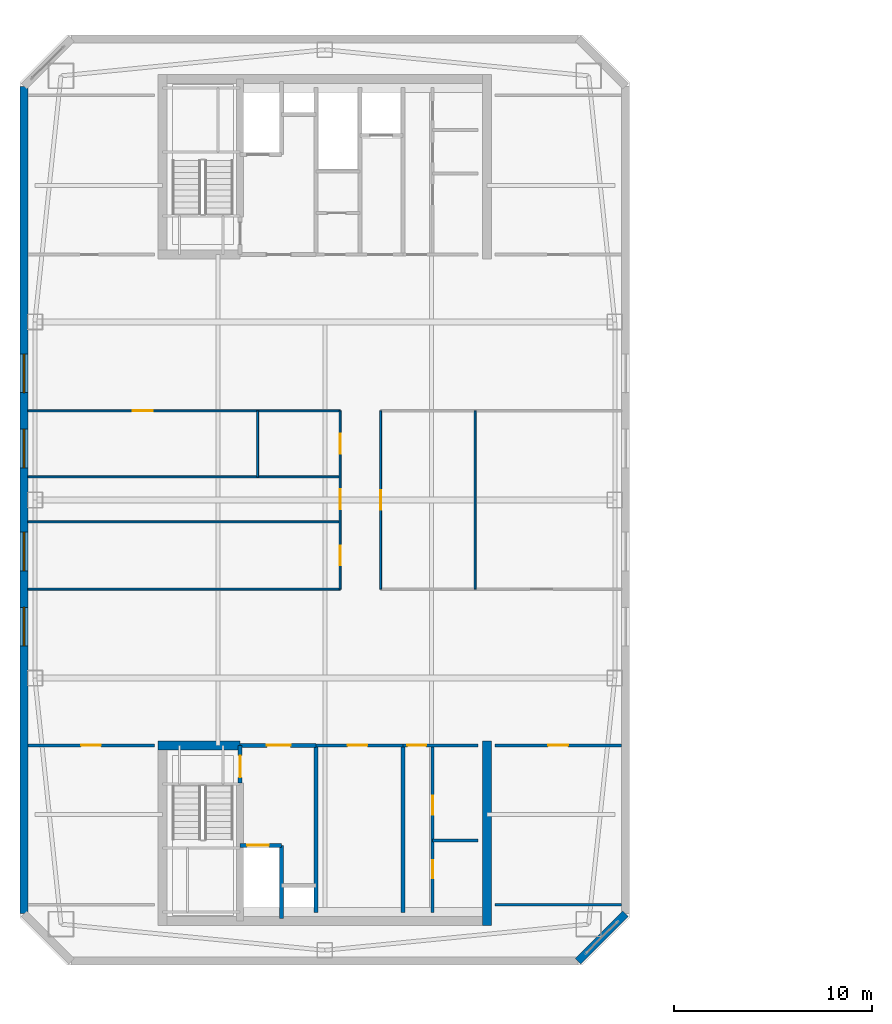
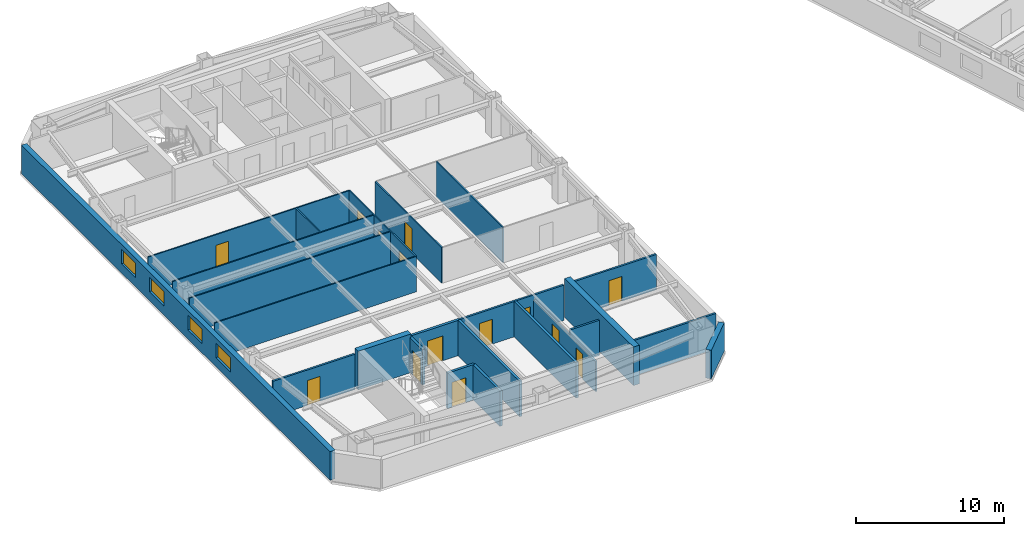
# One storey, part 12 of 20: 25 walls, 14 doors, 4 windows, 18 openings.
"""IFC4 building model written with IfcOpenShell, lengths in metres."""

from ifc_helpers import new_model, si_unit, direction, frame, frame_2d, origin, place, context, subcontext, project, spatial, rectangle, extrude, material, layer, layer_set, type_object, element, fill, save


model = new_model("IFC4")

# Units and contexts
model_context = context("Model", 3, precision=1e-05, world=origin(), true_north=direction((0.0, 1.0)))
body_context = subcontext(model_context, "Body", "Model", "MODEL_VIEW")
ifc_project = project(units=[si_unit("LENGTHUNIT", "METRE"), si_unit("AREAUNIT", "SQUARE_METRE"), si_unit("VOLUMEUNIT", "CUBIC_METRE"), si_unit("PLANEANGLEUNIT", "RADIAN"), si_unit("MASSUNIT", "GRAM", prefix="KILO")], contexts=[model_context])

# Site, building, storey
site_placement = place(None, origin())
site = spatial("IfcSite", under=ifc_project, at=site_placement, CompositionType="ELEMENT")
building_placement = place(site_placement, origin())
building = spatial("IfcBuilding", under=site, at=building_placement, Name="Qiaolan Cultural Towers", CompositionType="ELEMENT")
storey_placement = place(building_placement, frame((0.0, 0.0, 244.0)))
storey = spatial("IfcBuildingStorey", under=building, at=storey_placement, Name="L66", CompositionType="ELEMENT", Elevation=244.0)

# Walls
ifc_material_1 = material(Name="Concrete C50", Category="concrete")
ifc_layer_1 = layer(ifc_material_1, 0.449951171875)
ifc_layer_set_1 = layer_set([ifc_layer_1], Name="Concrete C50")
wall_type_1 = type_object("IfcWallType", Name="WL-CORE-450", PredefinedType="SHEAR", material=ifc_layer_set_1)
wall_1_placement = place(storey_placement, frame((38.199951171875, 21.824951171875, 0.0), z_axis=(0.0, 0.0, 1.0), x_axis=(0.0, -1.0, 0.0)))
element("IfcWall", 1, at=wall_1_placement, inside=storey, type_object=wall_type_1, Name="L66 T1-CS East Core Shear Wall", PredefinedType="SHEAR", context=body_context, shape_type="SweptSolid", body=[
    extrude(rectangle(XDim=9.329833984375, YDim=0.449951171875, at=frame_2d((4.6650390625, 0.0))), origin(), (0.0, 0.0, 1.0), 3.199951171875),
])
wall_2_placement = place(storey_placement, frame((21.574951171875, 21.60009765625, 0.0), z_axis=(0.0, 0.0, 1.0), x_axis=(1.0, 0.0, 0.0)))
element("IfcWall", 2, at=wall_2_placement, inside=storey, type_object=wall_type_1, Name="L66 T1-CS Stair Front Shear Wall", PredefinedType="SHEAR", context=body_context, shape_type="SweptSolid", body=[
    extrude(rectangle(XDim=4.14501953125, YDim=0.449951171875, at=frame_2d((2.072509765625, 0.0))), origin(), (0.0, 0.0, 1.0), 3.199951171875),
])

# Wall, openings, windows
ifc_material_2 = material(Name="Precast Concrete C50 Honed Stone Pier", Category="masonry")
ifc_layer_2 = layer(ifc_material_2, 0.39990234375)
ifc_layer_set_2 = layer_set([ifc_layer_2], Name="Precast Concrete C50 Honed Stone Pier")
wall_type_2 = type_object("IfcWallType", Name="WL-EXT-PIER-400", PredefinedType="SOLIDWALL", material=ifc_layer_set_2)
wall_3_placement = place(storey_placement, frame((14.800048828125, 13.10009765625, 0.0), z_axis=(0.0, 0.0, 1.0), x_axis=(0.0, 1.0, 0.0)))
wall_3 = element("IfcWall", 3, at=wall_3_placement, inside=storey, type_object=wall_type_2, Name="L66 West Tower Precast Pier Facade Wall F1", PredefinedType="SOLIDWALL", context=body_context, shape_type="SweptSolid", body=[
    extrude(rectangle(XDim=41.7998046875, YDim=0.39990234375, at=frame_2d((20.89990234375, 0.0))), origin(), (0.0, 0.0, 1.0), 2.360107421875),
])
opening_1_placement = place(wall_3_placement, frame((13.52490234375, 0.0, 0.75)))
opening_1 = element("IfcOpeningElement", 4, at=opening_1_placement, cuts=wall_3, Name="Opening W-06", PredefinedType="OPENING", context=body_context, shape_type="SweptSolid", body=[
    extrude(rectangle(XDim=1.949951171875, YDim=1.2099609375, at=frame_2d((0.97509765625, 0.60498046875))), frame((0.0, 0.2099609375, 0.0), z_axis=(0.0, -1.0, 0.0), x_axis=(1.0, 0.0, 0.0)), (0.0, 0.0, 1.0), 0.419921875),
])
opening_2_placement = place(wall_3_placement, frame((17.324951171875, 0.0, 0.75)))
opening_2 = element("IfcOpeningElement", 5, at=opening_2_placement, cuts=wall_3, Name="Opening W-06", PredefinedType="OPENING", context=body_context, shape_type="SweptSolid", body=[
    extrude(rectangle(XDim=1.949951171875, YDim=1.2099609375, at=frame_2d((0.97509765625, 0.60498046875))), frame((0.0, 0.2099609375, 0.0), z_axis=(0.0, -1.0, 0.0), x_axis=(1.0, 0.0, 0.0)), (0.0, 0.0, 1.0), 0.419921875),
])
opening_3_placement = place(wall_3_placement, frame((22.52490234375, 0.0, 0.75)))
opening_3 = element("IfcOpeningElement", 6, at=opening_3_placement, cuts=wall_3, Name="Opening W-06", PredefinedType="OPENING", context=body_context, shape_type="SweptSolid", body=[
    extrude(rectangle(XDim=1.949951171875, YDim=1.2099609375, at=frame_2d((0.97509765625, 0.60498046875))), frame((0.0, 0.2099609375, 0.0), z_axis=(0.0, -1.0, 0.0), x_axis=(1.0, 0.0, 0.0)), (0.0, 0.0, 1.0), 0.419921875),
])
opening_4_placement = place(wall_3_placement, frame((26.324951171875, 0.0, 0.75)))
opening_4 = element("IfcOpeningElement", 7, at=opening_4_placement, cuts=wall_3, Name="Opening W-06", PredefinedType="OPENING", context=body_context, shape_type="SweptSolid", body=[
    extrude(rectangle(XDim=1.949951171875, YDim=1.2099609375, at=frame_2d((0.97509765625, 0.60498046875))), frame((0.0, 0.2099609375, 0.0), z_axis=(0.0, -1.0, 0.0), x_axis=(1.0, 0.0, 0.0)), (0.0, 0.0, 1.0), 0.419921875),
])
ifc_material_3 = material(Name="Thermally Broken Aluminium Triple Low-E Glazing", Category="aluminium")
window_type = type_object("IfcWindowType", Name="WN-CHIC-1950", PartitioningType="SINGLE_PANEL", PredefinedType="WINDOW", material=ifc_material_3)
window_1_placement = place(opening_1_placement, origin())
window_1 = element("IfcWindow", 8, at=window_1_placement, inside=storey, type_object=window_type, Name="L66 T1 W Chicago Bay Window 1", OverallHeight=1.2099609375, OverallWidth=1.949951171875, PartitioningType="TRIPLE_PANEL_VERTICAL", PredefinedType="WINDOW", context=body_context, shape_type="SweptSolid", body=[
    extrude(rectangle(XDim=1.949951171875, YDim=1.2099609375, at=frame_2d((0.97509765625, 0.60498046875))), frame((0.0, 0.030029296875, 0.0), z_axis=(0.0, -1.0, 0.0), x_axis=(1.0, 0.0, 0.0)), (0.0, 0.0, 1.0), 0.06005859375),
])
fill(opening_1, window_1)
window_2_placement = place(opening_2_placement, origin())
window_2 = element("IfcWindow", 9, at=window_2_placement, inside=storey, type_object=window_type, Name="L66 T1 W Chicago Bay Window 2", OverallHeight=1.2099609375, OverallWidth=1.949951171875, PartitioningType="TRIPLE_PANEL_VERTICAL", PredefinedType="WINDOW", context=body_context, shape_type="SweptSolid", body=[
    extrude(rectangle(XDim=1.949951171875, YDim=1.2099609375, at=frame_2d((0.97509765625, 0.60498046875))), frame((0.0, 0.030029296875, 0.0), z_axis=(0.0, -1.0, 0.0), x_axis=(1.0, 0.0, 0.0)), (0.0, 0.0, 1.0), 0.06005859375),
])
fill(opening_2, window_2)
window_3_placement = place(opening_3_placement, origin())
window_3 = element("IfcWindow", 10, at=window_3_placement, inside=storey, type_object=window_type, Name="L66 T1 W Chicago Bay Window 3", OverallHeight=1.2099609375, OverallWidth=1.949951171875, PartitioningType="TRIPLE_PANEL_VERTICAL", PredefinedType="WINDOW", context=body_context, shape_type="SweptSolid", body=[
    extrude(rectangle(XDim=1.949951171875, YDim=1.2099609375, at=frame_2d((0.97509765625, 0.60498046875))), frame((0.0, 0.030029296875, 0.0), z_axis=(0.0, -1.0, 0.0), x_axis=(1.0, 0.0, 0.0)), (0.0, 0.0, 1.0), 0.06005859375),
])
fill(opening_3, window_3)
window_4_placement = place(opening_4_placement, origin())
window_4 = element("IfcWindow", 11, at=window_4_placement, inside=storey, type_object=window_type, Name="L66 T1 W Chicago Bay Window 4", OverallHeight=1.2099609375, OverallWidth=1.949951171875, PartitioningType="TRIPLE_PANEL_VERTICAL", PredefinedType="WINDOW", context=body_context, shape_type="SweptSolid", body=[
    extrude(rectangle(XDim=1.949951171875, YDim=1.2099609375, at=frame_2d((0.97509765625, 0.60498046875))), frame((0.0, 0.030029296875, 0.0), z_axis=(0.0, -1.0, 0.0), x_axis=(1.0, 0.0, 0.0)), (0.0, 0.0, 1.0), 0.06005859375),
])
fill(opening_4, window_4)

# Wall
wall_4_placement = place(storey_placement, frame((45.199951171875, 13.10009765625, 0.0), z_axis=(0.0, 0.0, 1.0), x_axis=(-0.707070815327, -0.707142745217, 0.0)))
element("IfcWall", 12, at=wall_4_placement, inside=storey, type_object=wall_type_2, Name="L66 West Tower Precast Pier Facade Wall F6", PredefinedType="SOLIDWALL", context=body_context, shape_type="SweptSolid", body=[
    extrude(rectangle(XDim=3.39404296875, YDim=0.39990234375, at=frame_2d((1.697021484375, 0.0))), origin(), (0.0, 0.0, 1.0), 2.360107421875),
])

# Wall, opening, door
ifc_material_4 = material(Name="Concrete C35 Fire Wall", Category="concrete")
ifc_layer_3 = layer(ifc_material_4, 0.199951171875)
ifc_layer_set_3 = layer_set([ifc_layer_3], Name="Concrete C35 Fire Wall")
wall_type_3 = type_object("IfcWallType", Name="WL-FIRE-200", PredefinedType="PARTITIONING", material=ifc_layer_set_3)
wall_5_placement = place(storey_placement, frame((25.719970703125, 21.60009765625, 0.0), z_axis=(0.0, 0.0, 1.0), x_axis=(0.0, -1.0, 0.0)))
wall_5 = element("IfcWall", 13, at=wall_5_placement, inside=storey, type_object=wall_type_3, Name="L66 T1-CS Smokeproof Stair Entry Wall", PredefinedType="PARTITIONING", context=body_context, shape_type="SweptSolid", body=[
    extrude(rectangle(XDim=1.900146484375, YDim=0.199951171875, at=frame_2d((0.9501953125, 0.0))), origin(), (0.0, 0.0, 1.0), 2.925048828125),
])
opening_5_placement = place(wall_5_placement, frame((0.52001953125, 0.0, 0.0)))
opening_5 = element("IfcOpeningElement", 14, at=opening_5_placement, cuts=wall_5, Name="Opening FD-04", PredefinedType="OPENING", context=body_context, shape_type="SweptSolid", body=[
    extrude(rectangle(XDim=1.10009765625, YDim=2.050048828125, at=frame_2d((0.550048828125, 1.02490234375))), frame((0.0, 0.10986328125, 0.0), z_axis=(0.0, -1.0, 0.0), x_axis=(1.0, 0.0, 0.0)), (0.0, 0.0, 1.0), 0.219970703125),
])
ifc_material_5 = material(Name="Galvanized Steel Command Fire Door", Category="steel")
door_type_1 = type_object("IfcDoorType", Name="DR-FD90-1100", OperationType="NOTDEFINED", PredefinedType="DOOR", material=ifc_material_5)
door_1_placement = place(opening_5_placement, origin())
door_1 = element("IfcDoor", 15, at=door_1_placement, inside=storey, type_object=door_type_1, Name="L66 ST-W1 Smokeproof Stair Fire Door", OperationType="SINGLE_SWING_LEFT", OverallHeight=2.050048828125, OverallWidth=1.10009765625, PredefinedType="DOOR", context=body_context, shape_type="SweptSolid", body=[
    extrude(rectangle(XDim=1.10009765625, YDim=2.050048828125, at=frame_2d((0.550048828125, 1.02490234375))), frame((0.0, 0.02490234375, 0.0), z_axis=(0.0, -1.0, 0.0), x_axis=(1.0, 0.0, 0.0)), (0.0, 0.0, 1.0), 0.050048828125),
])
fill(opening_5, door_1)

# Wall
wall_6_placement = place(storey_placement, frame((29.550048828125, 21.60009765625, 0.0), z_axis=(0.0, 0.0, 1.0), x_axis=(0.0, -1.0, 0.0)))
element("IfcWall", 16, at=wall_6_placement, inside=storey, type_object=wall_type_3, Name="L66 T1-CS Firefighting Zone Wall", PredefinedType="PARTITIONING", context=body_context, shape_type="SweptSolid", body=[
    extrude(rectangle(XDim=8.43017578125, YDim=0.199951171875, at=frame_2d((4.215087890625, 0.0))), origin(), (0.0, 0.0, 1.0), 2.925048828125),
])

# Wall, opening, door
wall_7_placement = place(storey_placement, frame((25.719970703125, 21.60009765625, 0.0), z_axis=(0.0, 0.0, 1.0), x_axis=(1.0, 0.0, 0.0)))
wall_7 = element("IfcWall", 17, at=wall_7_placement, inside=storey, type_object=wall_type_3, Name="L66 T1-CS Firefighting Lobby Front Wall", PredefinedType="PARTITIONING", context=body_context, shape_type="SweptSolid", body=[
    extrude(rectangle(XDim=3.830078125, YDim=0.199951171875, at=frame_2d((1.9150390625, 0.0))), origin(), (0.0, 0.0, 1.0), 2.925048828125),
])
opening_6_placement = place(wall_7_placement, frame((1.35009765625, 0.0, 0.0)))
opening_6 = element("IfcOpeningElement", 18, at=opening_6_placement, cuts=wall_7, Name="Opening FD-03", PredefinedType="OPENING", context=body_context, shape_type="SweptSolid", body=[
    extrude(rectangle(XDim=1.199951171875, YDim=2.050048828125, at=frame_2d((0.60009765625, 1.02490234375))), frame((0.0, 0.10986328125, 0.0), z_axis=(0.0, -1.0, 0.0), x_axis=(1.0, 0.0, 0.0)), (0.0, 0.0, 1.0), 0.219970703125),
])
ifc_material_6 = material(Name="Galvanized Steel Smokeproof Lobby Fire Door", Category="steel")
door_type_2 = type_object("IfcDoorType", Name="DR-FD90-1200", OperationType="NOTDEFINED", PredefinedType="DOOR", material=ifc_material_6)
door_2_placement = place(opening_6_placement, origin())
door_2 = element("IfcDoor", 19, at=door_2_placement, inside=storey, type_object=door_type_2, Name="L66 FFL-W1 Firefighting Lobby Fire Door", OperationType="SINGLE_SWING_LEFT", OverallHeight=2.050048828125, OverallWidth=1.199951171875, PredefinedType="DOOR", context=body_context, shape_type="SweptSolid", body=[
    extrude(rectangle(XDim=1.199951171875, YDim=2.050048828125, at=frame_2d((0.60009765625, 1.02490234375))), frame((0.0, 0.02490234375, 0.0), z_axis=(0.0, -1.0, 0.0), x_axis=(1.0, 0.0, 0.0)), (0.0, 0.0, 1.0), 0.050048828125),
])
fill(opening_6, door_2)

wall_8_placement = place(storey_placement, frame((25.719970703125, 16.550048828125, 0.0), z_axis=(0.0, 0.0, 1.0), x_axis=(1.0, 0.0, 0.0)))
wall_8 = element("IfcWall", 20, at=wall_8_placement, inside=storey, type_object=wall_type_3, Name="L66 T1-CS Firefighting Shaft Front Wall", PredefinedType="PARTITIONING", context=body_context, shape_type="SweptSolid", body=[
    extrude(rectangle(XDim=2.10009765625, YDim=0.199951171875, at=frame_2d((1.050048828125, 0.0))), origin(), (0.0, 0.0, 1.0), 2.925048828125),
])
opening_7_placement = place(wall_8_placement, frame((0.35009765625, 0.0, 0.0)))
opening_7 = element("IfcOpeningElement", 21, at=opening_7_placement, cuts=wall_8, Name="Opening LD-01", PredefinedType="OPENING", context=body_context, shape_type="SweptSolid", body=[
    extrude(rectangle(XDim=1.10009765625, YDim=2.050048828125, at=frame_2d((0.550048828125, 1.02490234375))), frame((0.0, 0.10986328125, 0.0), z_axis=(0.0, -1.0, 0.0), x_axis=(1.0, 0.0, 0.0)), (0.0, 0.0, 1.0), 0.219970703125),
])
ifc_material_7 = material(Name="Brushed Stainless Steel S30408 Centre-Parting Lift Landing Door", Category="steel")
door_type_3 = type_object("IfcDoorType", Name="DR-LIFT-1100", OperationType="NOTDEFINED", PredefinedType="DOOR", material=ifc_material_7)
door_3_placement = place(opening_7_placement, origin())
door_3 = element("IfcDoor", 22, at=door_3_placement, inside=storey, type_object=door_type_3, Name="L66 FFL-W1 Firefighting Lift Landing Door", OperationType="DOUBLE_DOOR_SLIDING", OverallHeight=2.050048828125, OverallWidth=1.10009765625, PredefinedType="DOOR", context=body_context, shape_type="SweptSolid", body=[
    extrude(rectangle(XDim=1.10009765625, YDim=2.050048828125, at=frame_2d((0.550048828125, 1.02490234375))), frame((0.0, 0.02490234375, 0.0), z_axis=(0.0, -1.0, 0.0), x_axis=(1.0, 0.0, 0.0)), (0.0, 0.0, 1.0), 0.050048828125),
])
fill(opening_7, door_3)

# Walls
wall_9_placement = place(storey_placement, frame((27.820068359375, 16.550048828125, 0.0), z_axis=(0.0, 0.0, 1.0), x_axis=(0.0, -1.0, 0.0)))
element("IfcWall", 23, at=wall_9_placement, inside=storey, type_object=wall_type_3, Name="L66 T1-CS Firefighting Hoistway East Wall", PredefinedType="PARTITIONING", context=body_context, shape_type="SweptSolid", body=[
    extrude(rectangle(XDim=3.699951171875, YDim=0.199951171875, at=frame_2d((1.85009765625, 0.0))), origin(), (0.0, 0.0, 1.0), 2.925048828125),
])
wall_10_placement = place(storey_placement, frame((33.949951171875, 21.60009765625, 0.0), z_axis=(0.0, 0.0, 1.0), x_axis=(0.0, -1.0, 0.0)))
element("IfcWall", 24, at=wall_10_placement, inside=storey, type_object=wall_type_3, Name="L66 T1-CS Lift Core East Wall", PredefinedType="PARTITIONING", context=body_context, shape_type="SweptSolid", body=[
    extrude(rectangle(XDim=8.43017578125, YDim=0.199951171875, at=frame_2d((4.215087890625, 0.0))), origin(), (0.0, 0.0, 1.0), 2.925048828125),
])
ifc_material_8 = material(Name="Acoustic Double-Glazed Partition Frame", Category="glass")
ifc_layer_4 = layer(ifc_material_8, 0.10009765625)
ifc_layer_set_4 = layer_set([ifc_layer_4], Name="Acoustic Double-Glazed Partition Frame")
wall_type_4 = type_object("IfcWallType", Name="WL-GLAZED-100", PredefinedType="MOVABLE", material=ifc_layer_set_4)
wall_11_placement = place(storey_placement, frame((15.0, 29.5, 0.0), z_axis=(0.0, 0.0, 1.0), x_axis=(1.0, 0.0, 0.0)))
element("IfcWall", 25, at=wall_11_placement, inside=storey, type_object=wall_type_4, Name="L66 T1 South Foyer West Wall", PredefinedType="MOVABLE", context=body_context, shape_type="SweptSolid", body=[
    extrude(rectangle(XDim=15.77490234375, YDim=0.10009765625, at=frame_2d((7.887451171875, 0.0))), origin(), (0.0, 0.0, 1.0), 2.925048828125),
])

# Wall, opening, door
wall_12_placement = place(storey_placement, frame((15.0, 38.5, 0.0), z_axis=(0.0, 0.0, 1.0), x_axis=(1.0, 0.0, 0.0)))
wall_12 = element("IfcWall", 26, at=wall_12_placement, inside=storey, type_object=wall_type_4, Name="L66 T1 North Foyer West Wall", PredefinedType="MOVABLE", context=body_context, shape_type="SweptSolid", body=[
    extrude(rectangle(XDim=15.77490234375, YDim=0.10009765625, at=frame_2d((7.887451171875, 0.0))), origin(), (0.0, 0.0, 1.0), 2.925048828125),
])
opening_8_placement = place(wall_12_placement, frame((5.300048828125, 0.0, 0.0)))
opening_8 = element("IfcOpeningElement", 27, at=opening_8_placement, cuts=wall_12, Name="Opening ID-04", PredefinedType="OPENING", context=body_context, shape_type="SweptSolid", body=[
    extrude(rectangle(XDim=1.0, YDim=2.050048828125, at=frame_2d((0.5, 1.02490234375))), frame((0.0, 0.06005859375, 0.0), z_axis=(0.0, -1.0, 0.0), x_axis=(1.0, 0.0, 0.0)), (0.0, 0.0, 1.0), 0.1201171875),
])
ifc_material_9 = material(Name="Oak Veneer Acoustic Office Door", Category="timber")
door_type_4 = type_object("IfcDoorType", Name="DR-INT-1000", OperationType="NOTDEFINED", PredefinedType="DOOR", material=ifc_material_9)
door_4_placement = place(opening_8_placement, origin())
door_4 = element("IfcDoor", 28, at=door_4_placement, inside=storey, type_object=door_type_4, Name="L66 T1 Edition Bookshop Door", OperationType="SINGLE_SWING_LEFT", OverallHeight=2.050048828125, OverallWidth=1.0, PredefinedType="DOOR", context=body_context, shape_type="SweptSolid", body=[
    extrude(rectangle(XDim=1.0, YDim=2.050048828125, at=frame_2d((0.5, 1.02490234375))), frame((0.0, 0.02490234375, 0.0), z_axis=(0.0, -1.0, 0.0), x_axis=(1.0, 0.0, 0.0)), (0.0, 0.0, 1.0), 0.050048828125),
])
fill(opening_8, door_4)

# Wall, openings, doors
wall_13_placement = place(storey_placement, frame((30.77490234375, 29.5, 0.0), z_axis=(0.0, 0.0, 1.0), x_axis=(0.0, 1.0, 0.0)))
wall_13 = element("IfcWall", 29, at=wall_13_placement, inside=storey, type_object=wall_type_4, Name="L66 T1 Central Spine West Wall", PredefinedType="MOVABLE", context=body_context, shape_type="SweptSolid", body=[
    extrude(rectangle(XDim=9.0, YDim=0.10009765625, at=frame_2d((4.5, 0.0))), origin(), (0.0, 0.0, 1.0), 2.925048828125),
])
opening_9_placement = place(wall_13_placement, frame((1.199951171875, 0.0, 0.0)))
opening_9 = element("IfcOpeningElement", 30, at=opening_9_placement, cuts=wall_13, Name="Opening ID-04", PredefinedType="OPENING", context=body_context, shape_type="SweptSolid", body=[
    extrude(rectangle(XDim=1.0, YDim=2.050048828125, at=frame_2d((0.5, 1.02490234375))), frame((0.0, 0.06005859375, 0.0), z_axis=(0.0, -1.0, 0.0), x_axis=(1.0, 0.0, 0.0)), (0.0, 0.0, 1.0), 0.1201171875),
])
opening_10_placement = place(wall_13_placement, frame((4.034912109375, 0.0, 0.0)))
opening_10 = element("IfcOpeningElement", 31, at=opening_10_placement, cuts=wall_13, Name="Opening ID-04", PredefinedType="OPENING", context=body_context, shape_type="SweptSolid", body=[
    extrude(rectangle(XDim=1.0, YDim=2.050048828125, at=frame_2d((0.5, 1.02490234375))), frame((0.0, 0.06005859375, 0.0), z_axis=(0.0, -1.0, 0.0), x_axis=(1.0, 0.0, 0.0)), (0.0, 0.0, 1.0), 0.1201171875),
])
opening_11_placement = place(wall_13_placement, frame((6.8349609375, 0.0, 0.0)))
opening_11 = element("IfcOpeningElement", 32, at=opening_11_placement, cuts=wall_13, Name="Opening ID-04", PredefinedType="OPENING", context=body_context, shape_type="SweptSolid", body=[
    extrude(rectangle(XDim=1.0, YDim=2.050048828125, at=frame_2d((0.5, 1.02490234375))), frame((0.0, 0.06005859375, 0.0), z_axis=(0.0, -1.0, 0.0), x_axis=(1.0, 0.0, 0.0)), (0.0, 0.0, 1.0), 0.1201171875),
])
door_5_placement = place(opening_9_placement, origin())
door_5 = element("IfcDoor", 33, at=door_5_placement, inside=storey, type_object=door_type_4, Name="L66 T1 Collectors Art Gallery Door", OperationType="SINGLE_SWING_LEFT", OverallHeight=2.050048828125, OverallWidth=1.0, PredefinedType="DOOR", context=body_context, shape_type="SweptSolid", body=[
    extrude(rectangle(XDim=1.0, YDim=2.050048828125, at=frame_2d((0.5, 1.02490234375))), frame((0.0, 0.02490234375, 0.0), z_axis=(0.0, -1.0, 0.0), x_axis=(1.0, 0.0, 0.0)), (0.0, 0.0, 1.0), 0.050048828125),
])
fill(opening_9, door_5)
door_6_placement = place(opening_10_placement, origin())
door_6 = element("IfcDoor", 34, at=door_6_placement, inside=storey, type_object=door_type_4, Name="L66 T1 Collectors Art Gallery Door", OperationType="SINGLE_SWING_RIGHT", OverallHeight=2.050048828125, OverallWidth=1.0, PredefinedType="DOOR", context=body_context, shape_type="SweptSolid", body=[
    extrude(rectangle(XDim=1.0, YDim=2.050048828125, at=frame_2d((0.5, 1.02490234375))), frame((0.0, 0.02490234375, 0.0), z_axis=(0.0, -1.0, 0.0), x_axis=(1.0, 0.0, 0.0)), (0.0, 0.0, 1.0), 0.050048828125),
])
fill(opening_10, door_6)
door_7_placement = place(opening_11_placement, origin())
door_7 = element("IfcDoor", 35, at=door_7_placement, inside=storey, type_object=door_type_4, Name="L66 T1 Curatorial Room Door", OperationType="SINGLE_SWING_RIGHT", OverallHeight=2.050048828125, OverallWidth=1.0, PredefinedType="DOOR", context=body_context, shape_type="SweptSolid", body=[
    extrude(rectangle(XDim=1.0, YDim=2.050048828125, at=frame_2d((0.5, 1.02490234375))), frame((0.0, 0.02490234375, 0.0), z_axis=(0.0, -1.0, 0.0), x_axis=(1.0, 0.0, 0.0)), (0.0, 0.0, 1.0), 0.050048828125),
])
fill(opening_11, door_7)

# Wall, opening, door
wall_14_placement = place(storey_placement, frame((32.824951171875, 29.5, 0.0), z_axis=(0.0, 0.0, 1.0), x_axis=(0.0, 1.0, 0.0)))
wall_14 = element("IfcWall", 36, at=wall_14_placement, inside=storey, type_object=wall_type_4, Name="L66 T1 Central Spine East Wall", PredefinedType="MOVABLE", context=body_context, shape_type="SweptSolid", body=[
    extrude(rectangle(XDim=9.0, YDim=0.10009765625, at=frame_2d((4.5, 0.0))), origin(), (0.0, 0.0, 1.0), 2.925048828125),
])
opening_12_placement = place(wall_14_placement, frame((4.0, 0.0, 0.0)))
opening_12 = element("IfcOpeningElement", 37, at=opening_12_placement, cuts=wall_14, Name="Opening ID-04", PredefinedType="OPENING", context=body_context, shape_type="SweptSolid", body=[
    extrude(rectangle(XDim=1.0, YDim=2.050048828125, at=frame_2d((0.5, 1.02490234375))), frame((0.0, 0.06005859375, 0.0), z_axis=(0.0, -1.0, 0.0), x_axis=(1.0, 0.0, 0.0)), (0.0, 0.0, 1.0), 0.1201171875),
])
door_8_placement = place(opening_12_placement, origin())
door_8 = element("IfcDoor", 38, at=door_8_placement, inside=storey, type_object=door_type_4, Name="L66 T1 Sky Dining Kitchen Door", OperationType="SINGLE_SWING_LEFT", OverallHeight=2.050048828125, OverallWidth=1.0, PredefinedType="DOOR", context=body_context, shape_type="SweptSolid", body=[
    extrude(rectangle(XDim=1.0, YDim=2.050048828125, at=frame_2d((0.5, 1.02490234375))), frame((0.0, 0.02490234375, 0.0), z_axis=(0.0, -1.0, 0.0), x_axis=(1.0, 0.0, 0.0)), (0.0, 0.0, 1.0), 0.050048828125),
])
fill(opening_12, door_8)

# Walls
for number, where, z_axis, x_axis, name in (
    (39, (15.0, 32.89990234375, 0.0), (0.0, 0.0, 1.0), (1.0, 0.0, 0.0), "L66 T1 Interior Wall"),
    (40, (15.0, 35.169921875, 0.0), (0.0, 0.0, 1.0), (1.0, 0.0, 0.0), "L66 T1 Interior Wall"),
):
    element("IfcWall", number, at=place(storey_placement, frame(where, z_axis=z_axis, x_axis=x_axis)), inside=storey, type_object=wall_type_4, Name=name, PredefinedType="MOVABLE", context=body_context, shape_type="SweptSolid", body=[
        extrude(rectangle(XDim=15.77490234375, YDim=0.10009765625, at=frame_2d((7.887451171875, 0.0))), origin(), (0.0, 0.0, 1.0), 2.925048828125),
    ])
wall_15_placement = place(storey_placement, frame((26.60009765625, 35.169921875, 0.0), z_axis=(0.0, 0.0, 1.0), x_axis=(0.0, 1.0, 0.0)))
element("IfcWall", 41, at=wall_15_placement, inside=storey, type_object=wall_type_4, Name="L66 T1 Interior Wall", PredefinedType="MOVABLE", context=body_context, shape_type="SweptSolid", body=[
    extrude(rectangle(XDim=3.330078125, YDim=0.10009765625, at=frame_2d((1.6650390625, 0.0))), origin(), (0.0, 0.0, 1.0), 2.925048828125),
])
wall_16_placement = place(storey_placement, frame((37.60009765625, 29.5, 0.0), z_axis=(0.0, 0.0, 1.0), x_axis=(0.0, 1.0, 0.0)))
element("IfcWall", 42, at=wall_16_placement, inside=storey, type_object=wall_type_4, Name="L66 T1 Interior Wall", PredefinedType="MOVABLE", context=body_context, shape_type="SweptSolid", body=[
    extrude(rectangle(XDim=9.0, YDim=0.10009765625, at=frame_2d((4.5, 0.0))), origin(), (0.0, 0.0, 1.0), 2.925048828125),
])

# Wall, opening, door
ifc_material_10 = material(Name="Autoclaved Aerated Concrete Block B06", Category="concrete")
ifc_layer_5 = layer(ifc_material_10, 0.14990234375)
ifc_layer_set_5 = layer_set([ifc_layer_5], Name="Autoclaved Aerated Concrete Block B06")
wall_type_5 = type_object("IfcWallType", Name="WL-PART-150", PredefinedType="PARTITIONING", material=ifc_layer_set_5)
wall_17_placement = place(storey_placement, frame((29.550048828125, 21.60009765625, 0.0), z_axis=(0.0, 0.0, 1.0), x_axis=(1.0, 0.0, 0.0)))
wall_17 = element("IfcWall", 43, at=wall_17_placement, inside=storey, type_object=wall_type_5, Name="L66 T1-CS Reclaimed Core Room Front Wall", PredefinedType="PARTITIONING", context=body_context, shape_type="SweptSolid", body=[
    extrude(rectangle(XDim=4.39990234375, YDim=0.14990234375, at=frame_2d((2.199951171875, 0.0))), origin(), (0.0, 0.0, 1.0), 2.925048828125),
])
opening_13_placement = place(wall_17_placement, frame((1.60009765625, 0.0, 0.0)))
opening_13 = element("IfcOpeningElement", 44, at=opening_13_placement, cuts=wall_17, Name="Opening ID-04", PredefinedType="OPENING", context=body_context, shape_type="SweptSolid", body=[
    extrude(rectangle(XDim=1.0, YDim=2.050048828125, at=frame_2d((0.5, 1.02490234375))), frame((0.0, 0.0849609375, 0.0), z_axis=(0.0, -1.0, 0.0), x_axis=(1.0, 0.0, 0.0)), (0.0, 0.0, 1.0), 0.169921875),
])
door_9_placement = place(opening_13_placement, origin())
door_9 = element("IfcDoor", 45, at=door_9_placement, inside=storey, type_object=door_type_4, Name="L66 Reclaimed Archive Room Door", OperationType="SINGLE_SWING_LEFT", OverallHeight=2.050048828125, OverallWidth=1.0, PredefinedType="DOOR", context=body_context, shape_type="SweptSolid", body=[
    extrude(rectangle(XDim=1.0, YDim=2.050048828125, at=frame_2d((0.5, 1.02490234375))), frame((0.0, 0.02490234375, 0.0), z_axis=(0.0, -1.0, 0.0), x_axis=(1.0, 0.0, 0.0)), (0.0, 0.0, 1.0), 0.050048828125),
])
fill(opening_13, door_9)

wall_18_placement = place(storey_placement, frame((33.949951171875, 21.60009765625, 0.0), z_axis=(0.0, 0.0, 1.0), x_axis=(1.0, 0.0, 0.0)))
wall_18 = element("IfcWall", 46, at=wall_18_placement, inside=storey, type_object=wall_type_5, Name="L66 T1-CS Sanitary Core Front Wall", PredefinedType="PARTITIONING", context=body_context, shape_type="SweptSolid", body=[
    extrude(rectangle(XDim=3.800048828125, YDim=0.14990234375, at=frame_2d((1.89990234375, 0.0))), origin(), (0.0, 0.0, 1.0), 2.925048828125),
])
opening_14_placement = place(wall_18_placement, frame((0.219970703125, 0.0, 0.0)))
opening_14 = element("IfcOpeningElement", 47, at=opening_14_placement, cuts=wall_18, Name="Opening ID-05", PredefinedType="OPENING", context=body_context, shape_type="SweptSolid", body=[
    extrude(rectangle(XDim=0.949951171875, YDim=2.050048828125, at=frame_2d((0.47509765625, 1.02490234375))), frame((0.0, 0.0849609375, 0.0), z_axis=(0.0, -1.0, 0.0), x_axis=(1.0, 0.0, 0.0)), (0.0, 0.0, 1.0), 0.169921875),
])
ifc_material_11 = material(Name="Fire-Rated Laminate Accessible Core Door", Category="timber")
door_type_5 = type_object("IfcDoorType", Name="DR-INT-950", OperationType="NOTDEFINED", PredefinedType="DOOR", material=ifc_material_11)
door_10_placement = place(opening_14_placement, origin())
door_10 = element("IfcDoor", 48, at=door_10_placement, inside=storey, type_object=door_type_5, Name="L66 Sanitary Lobby Door", OperationType="SINGLE_SWING_LEFT", OverallHeight=2.050048828125, OverallWidth=0.949951171875, PredefinedType="DOOR", context=body_context, shape_type="SweptSolid", body=[
    extrude(rectangle(XDim=0.949951171875, YDim=2.050048828125, at=frame_2d((0.47509765625, 1.02490234375))), frame((0.0, 0.02490234375, 0.0), z_axis=(0.0, -1.0, 0.0), x_axis=(1.0, 0.0, 0.0)), (0.0, 0.0, 1.0), 0.050048828125),
])
fill(opening_14, door_10)

# Wall, openings, doors
wall_19_placement = place(storey_placement, frame((35.449951171875, 21.60009765625, 0.0), z_axis=(0.0, 0.0, 1.0), x_axis=(0.0, -1.0, 0.0)))
wall_19 = element("IfcWall", 49, at=wall_19_placement, inside=storey, type_object=wall_type_5, Name="L66 T1-CS Washroom Split Wall", PredefinedType="PARTITIONING", context=body_context, shape_type="SweptSolid", body=[
    extrude(rectangle(XDim=8.43017578125, YDim=0.14990234375, at=frame_2d((4.215087890625, 0.0))), origin(), (0.0, 0.0, 1.0), 2.514892578125),
])
opening_15_placement = place(wall_19_placement, frame((2.550048828125, 0.0, 0.0)))
opening_15 = element("IfcOpeningElement", 50, at=opening_15_placement, cuts=wall_19, Name="Opening ID-05", PredefinedType="OPENING", context=body_context, shape_type="SweptSolid", body=[
    extrude(rectangle(XDim=0.949951171875, YDim=2.050048828125, at=frame_2d((0.47509765625, 1.02490234375))), frame((0.0, 0.0849609375, 0.0), z_axis=(0.0, -1.0, 0.0), x_axis=(1.0, 0.0, 0.0)), (0.0, 0.0, 1.0), 0.169921875),
])
opening_16_placement = place(wall_19_placement, frame((5.800048828125, 0.0, 0.0)))
opening_16 = element("IfcOpeningElement", 51, at=opening_16_placement, cuts=wall_19, Name="Opening ID-06", PredefinedType="OPENING", context=body_context, shape_type="SweptSolid", body=[
    extrude(rectangle(XDim=0.89990234375, YDim=2.050048828125, at=frame_2d((0.449951171875, 1.02490234375))), frame((0.0, 0.0849609375, 0.0), z_axis=(0.0, -1.0, 0.0), x_axis=(1.0, 0.0, 0.0)), (0.0, 0.0, 1.0), 0.169921875),
])
ifc_material_12 = material(Name="Fire-Rated Laminate Core Service Door", Category="timber")
door_type_6 = type_object("IfcDoorType", Name="DR-INT-900", OperationType="NOTDEFINED", PredefinedType="DOOR", material=ifc_material_12)
door_11_placement = place(opening_16_placement, origin())
door_11 = element("IfcDoor", 52, at=door_11_placement, inside=storey, type_object=door_type_6, Name="L66 First-Aid Room Door", OperationType="SINGLE_SWING_RIGHT", OverallHeight=2.050048828125, OverallWidth=0.89990234375, PredefinedType="DOOR", context=body_context, shape_type="SweptSolid", body=[
    extrude(rectangle(XDim=0.89990234375, YDim=2.050048828125, at=frame_2d((0.449951171875, 1.02490234375))), frame((0.0, 0.02490234375, 0.0), z_axis=(0.0, -1.0, 0.0), x_axis=(1.0, 0.0, 0.0)), (0.0, 0.0, 1.0), 0.050048828125),
])
fill(opening_16, door_11)
door_12_placement = place(opening_15_placement, origin())
door_12 = element("IfcDoor", 53, at=door_12_placement, inside=storey, type_object=door_type_5, Name="L66 Accessible Washroom Door", OperationType="SINGLE_SWING_LEFT", OverallHeight=2.050048828125, OverallWidth=0.949951171875, PredefinedType="DOOR", context=body_context, shape_type="SweptSolid", body=[
    extrude(rectangle(XDim=0.949951171875, YDim=2.050048828125, at=frame_2d((0.47509765625, 1.02490234375))), frame((0.0, 0.02490234375, 0.0), z_axis=(0.0, -1.0, 0.0), x_axis=(1.0, 0.0, 0.0)), (0.0, 0.0, 1.0), 0.050048828125),
])
fill(opening_15, door_12)

# Wall
wall_20_placement = place(storey_placement, frame((35.449951171875, 16.800048828125, 0.0), z_axis=(0.0, 0.0, 1.0), x_axis=(1.0, 0.0, 0.0)))
element("IfcWall", 54, at=wall_20_placement, inside=storey, type_object=wall_type_5, Name="L66 T1-CS First-Aid Wall", PredefinedType="PARTITIONING", context=body_context, shape_type="SweptSolid", body=[
    extrude(rectangle(XDim=2.300048828125, YDim=0.14990234375, at=frame_2d((1.14990234375, 0.0))), origin(), (0.0, 0.0, 1.0), 2.925048828125),
])

# Wall, opening, door
wall_21_placement = place(storey_placement, frame((15.0, 21.60009765625, 0.0), z_axis=(0.0, 0.0, 1.0), x_axis=(1.0, 0.0, 0.0)))
wall_21 = element("IfcWall", 55, at=wall_21_placement, inside=storey, type_object=wall_type_5, Name="L66 T1 Flank Front FLK-SW", PredefinedType="PARTITIONING", context=body_context, shape_type="SweptSolid", body=[
    extrude(rectangle(XDim=6.39990234375, YDim=0.14990234375, at=frame_2d((3.199951171875, 0.0))), origin(), (0.0, 0.0, 1.0), 2.925048828125),
])
opening_17_placement = place(wall_21_placement, frame((2.68798828125, 0.0, 0.0)))
opening_17 = element("IfcOpeningElement", 56, at=opening_17_placement, cuts=wall_21, Name="Opening ID-04", PredefinedType="OPENING", context=body_context, shape_type="SweptSolid", body=[
    extrude(rectangle(XDim=1.0, YDim=2.050048828125, at=frame_2d((0.5, 1.02490234375))), frame((0.0, 0.0849609375, 0.0), z_axis=(0.0, -1.0, 0.0), x_axis=(1.0, 0.0, 0.0)), (0.0, 0.0, 1.0), 0.169921875),
])
door_13_placement = place(opening_17_placement, origin())
door_13 = element("IfcDoor", 57, at=door_13_placement, inside=storey, type_object=door_type_4, Name="L66 T1 Corner Studio Door", OperationType="SINGLE_SWING_LEFT", OverallHeight=2.050048828125, OverallWidth=1.0, PredefinedType="DOOR", context=body_context, shape_type="SweptSolid", body=[
    extrude(rectangle(XDim=1.0, YDim=2.050048828125, at=frame_2d((0.5, 1.02490234375))), frame((0.0, 0.02490234375, 0.0), z_axis=(0.0, -1.0, 0.0), x_axis=(1.0, 0.0, 0.0)), (0.0, 0.0, 1.0), 0.050048828125),
])
fill(opening_17, door_13)

# Wall
wall_22_placement = place(storey_placement, frame((38.60009765625, 13.550048828125, 0.0), z_axis=(0.0, 0.0, 1.0), x_axis=(1.0, 0.0, 0.0)))
element("IfcWall", 58, at=wall_22_placement, inside=storey, type_object=wall_type_5, Name="L66 T1 Flank Wall FLK-SE", PredefinedType="PARTITIONING", context=body_context, shape_type="SweptSolid", body=[
    extrude(rectangle(XDim=6.39990234375, YDim=0.14990234375, at=frame_2d((3.199951171875, 0.0))), origin(), (0.0, 0.0, 1.0), 2.925048828125),
])

# Wall, opening, door
wall_23_placement = place(storey_placement, frame((38.60009765625, 21.60009765625, 0.0), z_axis=(0.0, 0.0, 1.0), x_axis=(1.0, 0.0, 0.0)))
wall_23 = element("IfcWall", 59, at=wall_23_placement, inside=storey, type_object=wall_type_5, Name="L66 T1 Flank Front FLK-SE", PredefinedType="PARTITIONING", context=body_context, shape_type="SweptSolid", body=[
    extrude(rectangle(XDim=6.39990234375, YDim=0.14990234375, at=frame_2d((3.199951171875, 0.0))), origin(), (0.0, 0.0, 1.0), 2.925048828125),
])
opening_18_placement = place(wall_23_placement, frame((2.68798828125, 0.0, 0.0)))
opening_18 = element("IfcOpeningElement", 60, at=opening_18_placement, cuts=wall_23, Name="Opening ID-04", PredefinedType="OPENING", context=body_context, shape_type="SweptSolid", body=[
    extrude(rectangle(XDim=1.0, YDim=2.050048828125, at=frame_2d((0.5, 1.02490234375))), frame((0.0, 0.0849609375, 0.0), z_axis=(0.0, -1.0, 0.0), x_axis=(1.0, 0.0, 0.0)), (0.0, 0.0, 1.0), 0.169921875),
])
door_14_placement = place(opening_18_placement, origin())
door_14 = element("IfcDoor", 61, at=door_14_placement, inside=storey, type_object=door_type_4, Name="L66 T1 Corner Studio Door", OperationType="SINGLE_SWING_LEFT", OverallHeight=2.050048828125, OverallWidth=1.0, PredefinedType="DOOR", context=body_context, shape_type="SweptSolid", body=[
    extrude(rectangle(XDim=1.0, YDim=2.050048828125, at=frame_2d((0.5, 1.02490234375))), frame((0.0, 0.02490234375, 0.0), z_axis=(0.0, -1.0, 0.0), x_axis=(1.0, 0.0, 0.0)), (0.0, 0.0, 1.0), 0.050048828125),
])
fill(opening_18, door_14)

save(model, "model.ifc")
